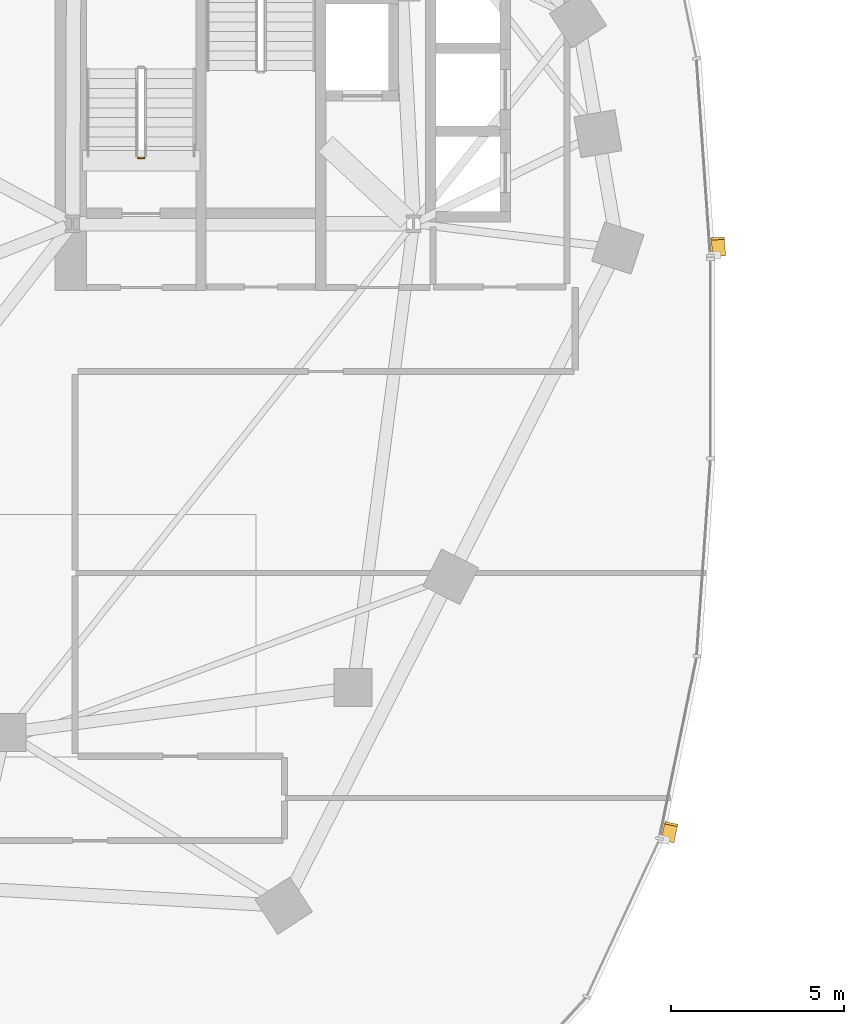
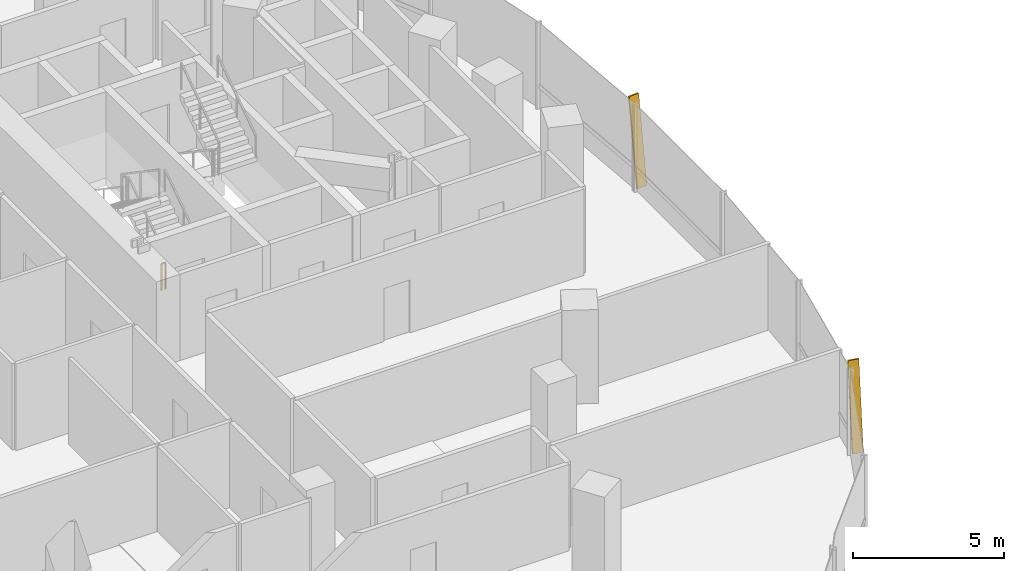
# One storey, part 19 of 22: 2 shading devices, 1 railing.
"""IFC4 building model written with IfcOpenShell, lengths in metres."""

from ifc_helpers import new_model, si_unit, direction, frame, origin, origin_2d, place, context, subcontext, project, spatial, rectangle, extrude, material, material_profile, profile_set, type_object, element, save


model = new_model("IFC4")

# Units and contexts
model_context = context("Model", 3, precision=1e-05, world=origin(), true_north=direction((0.0, 1.0)))
body_context = subcontext(model_context, "Body", "Model", "MODEL_VIEW")
ifc_project = project(units=[si_unit("LENGTHUNIT", "METRE"), si_unit("AREAUNIT", "SQUARE_METRE"), si_unit("VOLUMEUNIT", "CUBIC_METRE"), si_unit("PLANEANGLEUNIT", "RADIAN"), si_unit("MASSUNIT", "GRAM", prefix="KILO"), si_unit("THERMODYNAMICTEMPERATUREUNIT", "KELVIN"), si_unit("POWERUNIT", "WATT")], contexts=[model_context])

# Site, building, storey
site_placement = place(None, origin())
site = spatial("IfcSite", under=ifc_project, at=site_placement, CompositionType="ELEMENT")
building_placement = place(site_placement, origin())
building = spatial("IfcBuilding", under=site, at=building_placement, Name="Cundina Bronze Exchange", CompositionType="ELEMENT")
storey_placement = place(building_placement, frame((0.0, 0.0, 35.39990234375)))
storey = spatial("IfcBuildingStorey", under=building, at=storey_placement, Name="L08", CompositionType="ELEMENT", Elevation=35.39990234375)

# Railing
ifc_material_1 = material(Name="Steel ASTM A36 Painted", Category="steel")
railing_type = type_object("IfcRailingType", Name="RLG-STG-1100", PredefinedType="GUARDRAIL", material=ifc_material_1)
railing_placement = place(storey_placement, frame((-29.239990234375, 5.800048828125, 0.0)))
element("IfcRailing", 1, at=railing_placement, inside=storey, type_object=railing_type, Name="L08 ST-W1 stair guard 4", PredefinedType="GUARDRAIL", context=body_context, shape_type="SweptSolid", body=[
    extrude(rectangle(XDim=0.048095703125, YDim=0.048095703125, at=origin_2d()), frame((0.0, 0.0, 1.076171875), z_axis=(-1.0, 0.0, 0.0), x_axis=(0.0, -1.0, 0.0)), (0.0, 0.0, 1.0), 0.159912109375),
    extrude(rectangle(XDim=0.0419921875, YDim=0.0419921875, at=origin_2d()), origin(), (0.0, 0.0, 1.0), 1.052001953125),
    extrude(rectangle(XDim=0.0419921875, YDim=0.0419921875, at=origin_2d()), frame((-0.159912109375, 0.0, 0.0)), (0.0, 0.0, 1.0), 1.052001953125),
])

# Shading devices
ifc_material_2 = material(Name="Anodised Bronze Aluminium 6063-T6", Category="aluminium")
ifc_material_profile = material_profile(ifc_material_2, rectangle(XDim=0.070068359375, YDim=0.3798828125, at=origin_2d()), Name="FIN70X380", Category="aluminium")
ifc_profile_set = profile_set([ifc_material_profile], Name="Anodised Bronze Aluminium 6063-T6")
shading_device_type = type_object("IfcShadingDeviceType", Name="SHD-FIN-BRZ380", PredefinedType="USERDEFINED", material=ifc_profile_set)
for number, where, z_axis, x_axis, name in (
    (2, (-12.6259765625, 2.993896484375, 0.02001953125), (-0.009645159174, 0.137059109714, 0.990515911709), (0.06953288269, -0.988072340253, 0.137398066402), "L08 Diagonal Bronze Solar Fin 1"),
    (3, (-14.10400390625, -13.911865234375, 0.02001953125), (0.027747134956, 0.134612045151, 0.990509815096), (-0.199966585563, -0.970114971774, 0.137442010309), "L08 Diagonal Bronze Solar Fin 5"),
):
    element("IfcShadingDevice", number, at=place(storey_placement, frame(where, z_axis=z_axis, x_axis=x_axis)), inside=storey, type_object=shading_device_type, Name=name, ObjectType="FIN", PredefinedType="USERDEFINED", context=body_context, shape_type="SweptSolid", body=[
        extrude(rectangle(XDim=0.070068359375, YDim=0.3798828125, at=origin_2d()), origin(), (0.0, 0.0, 1.0), 3.4931640625),
    ])

save(model, "model.ifc")
